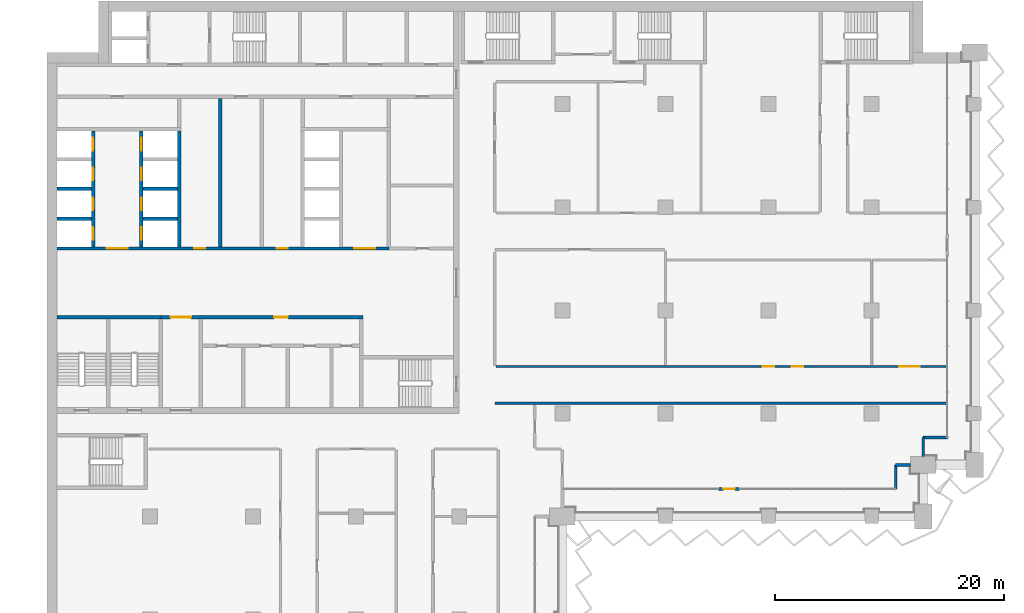
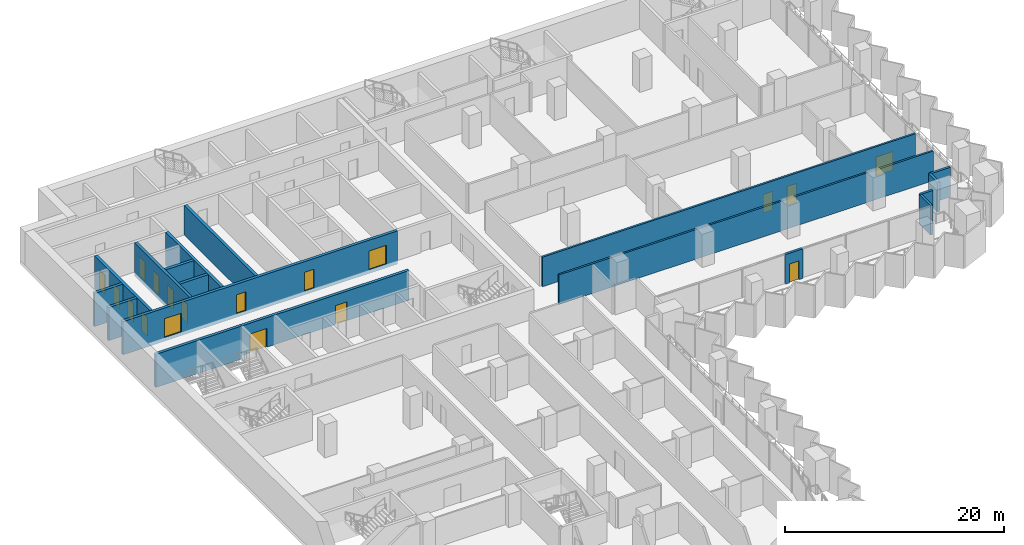
# One storey, part 12 of 23: 18 doors, 18 walls, 18 openings.
"""IFC4 building model written with IfcOpenShell, lengths in metres."""

import ifcopenshell
import ifcopenshell.guid

model = None  # the IFC model being written
_history = None  # IfcOwnerHistory: only IFC2X3 demands one
_inside = {}  # id of a spatial element -> (the spatial element, [elements in it])
_under = {}  # id of a project, library or spatial element -> (it, [spatial elements below it])
_declared = {}  # id of a project -> (the project, [libraries it declares])
_typed = {}  # id of a type object -> (the type object, [elements of that type])
_made_of = {}  # id of a material, layer set ... -> (it, [elements and type objects made of it])


def new_model(schema):
    """Start an empty IFC model of exactly this schema.

    Asked for "IFC4X3", IfcOpenShell would pick the latest addendum, in which some entities
    have other attributes; the version numbers below select the first issue.
    IFC2X3 requires an IfcOwnerHistory on every rooted entity: one is made here for all.
    """
    global model, _history
    if schema == "IFC4X3":
        model = ifcopenshell.file(schema_version=(4, 3, 0, 0))
    else:
        model = ifcopenshell.file(schema=schema)
    _inside.clear()
    _under.clear()
    _declared.clear()
    _typed.clear()
    _made_of.clear()
    _history = None
    if model.schema == "IFC2X3":
        org = make("IfcOrganization", Name="unknown")
        user = make(
            "IfcPersonAndOrganization",
            ThePerson=make("IfcPerson", FamilyName="unknown"),
            TheOrganization=org,
        )
        app = make(
            "IfcApplication",
            ApplicationDeveloper=org,
            Version="unknown",
            ApplicationFullName="unknown",
            ApplicationIdentifier="unknown",
        )
        _history = make(
            "IfcOwnerHistory",
            OwningUser=user,
            OwningApplication=app,
            ChangeAction="ADDED",
            CreationDate=0,
        )
    return model


def make(cls, **values):
    """One entity of the class cls with the attributes given. An attribute that is None is left unset."""
    return model.create_entity(
        cls, **{name: value for name, value in values.items() if value is not None}
    )


def rooted(cls, **values):
    """An entity with a GlobalId (a new one), such as an element, a storey or a relation."""
    return make(cls, GlobalId=ifcopenshell.guid.new(), OwnerHistory=_history, **values)


def si_unit(unit_type, name, prefix=None):
    """IfcSIUnit, for example si_unit("LENGTHUNIT", "METRE", prefix="MILLI")."""
    return make("IfcSIUnit", UnitType=unit_type, Prefix=prefix, Name=name)


def assignment(units):
    """IfcUnitAssignment: the units of a project."""
    return None if units is None else make("IfcUnitAssignment", Units=units)


def point(xyz):
    """IfcCartesianPoint."""
    return None if xyz is None else make("IfcCartesianPoint", Coordinates=xyz)


def direction(xyz):
    """IfcDirection."""
    return None if xyz is None else make("IfcDirection", DirectionRatios=xyz)


def frame(location, z_axis=None, x_axis=None):
    """IfcAxis2Placement3D, a coordinate frame: its origin and axes. An axis left out is left unset."""
    return make(
        "IfcAxis2Placement3D",
        Location=point(location),
        Axis=direction(z_axis),
        RefDirection=direction(x_axis),
    )


def frame_2d(location, x_axis=None):
    """IfcAxis2Placement2D, a coordinate frame in the plane: its origin and x axis."""
    return make(
        "IfcAxis2Placement2D", Location=point(location), RefDirection=direction(x_axis)
    )


def origin():
    """The frame at (0, 0, 0) with its axes left unset."""
    return frame((0.0, 0.0, 0.0))


def place(relative_to, where):
    """IfcLocalPlacement: puts the frame where relative to a parent placement (None: the world)."""
    return make(
        "IfcLocalPlacement", PlacementRelTo=relative_to, RelativePlacement=where
    )


def context(
    kind, dimensions, precision=None, world=None, true_north=None, identifier=None
):
    """IfcGeometricRepresentationContext, for example the 3D "Model" context."""
    return make(
        "IfcGeometricRepresentationContext",
        ContextIdentifier=identifier,
        ContextType=kind,
        CoordinateSpaceDimension=dimensions,
        Precision=precision,
        WorldCoordinateSystem=world,
        TrueNorth=true_north,
    )


def subcontext(parent, identifier, kind, view, scale=None):
    """IfcGeometricRepresentationSubContext, for example "Body" below "Model"."""
    return make(
        "IfcGeometricRepresentationSubContext",
        ContextIdentifier=identifier,
        ContextType=kind,
        ParentContext=parent,
        TargetScale=scale,
        TargetView=view,
    )


def project(units=None, contexts=None):
    """IfcProject with its units and contexts."""
    return rooted(
        "IfcProject",
        Name="project",
        RepresentationContexts=contexts,
        UnitsInContext=assignment(units),
    )


def spatial(cls, under=None, at=None, **own):
    """A site, building, storey or space (cls), placed at a placement, below another one or the project."""
    s = rooted(cls, ObjectPlacement=at, **own)
    if under is not None:
        _under.setdefault(under.id(), (under, []))[1].append(s)
    return s


def profile(cls, at=None, kind="AREA", **sizes):
    """A parametric profile (cls). Its sizes go by their IFC names, for example OverallWidth=200.0."""
    return make(cls, ProfileType=kind, Position=at, **sizes)


def rectangle(**sizes):
    """IfcRectangleProfileDef."""
    return profile("IfcRectangleProfileDef", **sizes)


def extrude(swept, where, along, depth):
    """IfcExtrudedAreaSolid: the profile swept, set in the frame where, extruded along a direction by depth."""
    return make(
        "IfcExtrudedAreaSolid",
        SweptArea=swept,
        Position=where,
        ExtrudedDirection=direction(along),
        Depth=depth,
    )


def shape(context_of_items, identifier, shape_type, items):
    """IfcShapeRepresentation: the items that make up one representation, for example the "Body"."""
    return make(
        "IfcShapeRepresentation",
        ContextOfItems=context_of_items,
        RepresentationIdentifier=identifier,
        RepresentationType=shape_type,
        Items=items,
    )


def material(Name=None, Category=None):
    """IfcMaterial."""
    return make("IfcMaterial", Name=Name, Category=Category)


def layer(
    of_material, thickness, ventilated=None, Name=None, Category=None, Priority=None
):
    """IfcMaterialLayer: one layer of a wall or slab, of a material (None: an air gap)."""
    return make(
        "IfcMaterialLayer",
        Material=of_material,
        LayerThickness=thickness,
        IsVentilated=ventilated,
        Name=Name,
        Category=Category,
        Priority=Priority,
    )


def layer_set(layers, Name=None):
    """IfcMaterialLayerSet."""
    return make("IfcMaterialLayerSet", MaterialLayers=layers, LayerSetName=Name)


def made_of(thing, what):
    """Note that an element or type object is made of a material, layer set ...; save() writes the relation."""
    if what is not None:
        _made_of.setdefault(what.id(), (what, []))[1].append(thing)
    return thing


def type_object(cls, material=None, **own):
    """A type object (cls), such as IfcWallType, which elements share."""
    return made_of(rooted(cls, **own), material)


def element(
    cls,
    number,
    at=None,
    inside=None,
    cuts=None,
    type_object=None,
    material=None,
    context=None,
    identifier="Body",
    shape_type=None,
    held_by="IfcProductDefinitionShape",
    body=None,
    shapes=None,
    **own,
):
    """One element of the class cls, such as IfcWall. Its Tag is "e" and its number.

    at: its placement. inside: the storey or other place that contains it. cuts: it is an
    opening in that element (IfcRelVoidsElement). A single representation is given by context,
    identifier, shape_type and body (its items); several are given by shapes. held_by: the class
    of the entity that holds the representations. save() writes the other relations.
    """
    e = rooted(cls, Tag="e%d" % number, ObjectPlacement=at, **own)
    if body is not None:
        shapes = [shape(context, identifier, shape_type, body)]
    if shapes is not None:
        e.Representation = make(held_by, Representations=shapes)
    if inside is not None:
        _inside.setdefault(inside.id(), (inside, []))[1].append(e)
    if cuts is not None:
        rooted(
            "IfcRelVoidsElement", RelatingBuildingElement=cuts, RelatedOpeningElement=e
        )
    if type_object is not None:
        _typed.setdefault(type_object.id(), (type_object, []))[1].append(e)
    return made_of(e, material)


def fill(opening, filler):
    """IfcRelFillsElement: the door or window that sits in an opening."""
    return rooted(
        "IfcRelFillsElement",
        RelatingOpeningElement=opening,
        RelatedBuildingElement=filler,
    )


def aggregate(whole, parts):
    """IfcRelAggregates: a whole, such as a stair, and the parts it consists of."""
    return rooted("IfcRelAggregates", RelatingObject=whole, RelatedObjects=parts)


def save(model, path):
    """Write the relations noted so far, then the file.

    IfcRelAggregates (storeys below a building ...), IfcRelContainedInSpatialStructure (elements
    in a storey), IfcRelDefinesByType, IfcRelAssociatesMaterial and IfcRelDeclares: one each for
    every whole, place, type object, material and project.
    """
    for whole, parts in _under.values():
        aggregate(whole, parts)
    for where, things in _inside.values():
        rooted(
            "IfcRelContainedInSpatialStructure",
            RelatedElements=things,
            RelatingStructure=where,
        )
    for kind, things in _typed.values():
        rooted("IfcRelDefinesByType", RelatedObjects=things, RelatingType=kind)
    for what, things in _made_of.values():
        rooted("IfcRelAssociatesMaterial", RelatedObjects=things, RelatingMaterial=what)
    for by, libraries in _declared.values():
        rooted("IfcRelDeclares", RelatingContext=by, RelatedDefinitions=libraries)
    model.write(path)


model = new_model("IFC4")

# Units and contexts
model_context = context("Model", 3, precision=1e-05, world=origin(), true_north=direction((0.0, 1.0)))
body_context = subcontext(model_context, "Body", "Model", "MODEL_VIEW")
ifc_project = project(units=[si_unit("LENGTHUNIT", "METRE"), si_unit("AREAUNIT", "SQUARE_METRE"), si_unit("VOLUMEUNIT", "CUBIC_METRE"), si_unit("PLANEANGLEUNIT", "RADIAN"), si_unit("MASSUNIT", "GRAM", prefix="KILO")], contexts=[model_context])

# Site, building, storey
site_placement = place(None, origin())
site = spatial("IfcSite", under=ifc_project, at=site_placement, CompositionType="ELEMENT")
building_placement = place(site_placement, origin())
building = spatial("IfcBuilding", under=site, at=building_placement, Name="Hunhe Ridgeline Campus", CompositionType="ELEMENT")
storey_placement = place(building_placement, frame((0.0, 0.0, 121.800048828125)))
storey = spatial("IfcBuildingStorey", under=building, at=storey_placement, Name="L30", CompositionType="ELEMENT", Elevation=121.800048828125)

# Wall, openings, doors
ifc_material_1 = material(Name="Masonry concrete blockwork", Category="masonry")
ifc_layer_1 = layer(ifc_material_1, 0.300048828125)
ifc_layer_set_1 = layer_set([ifc_layer_1], Name="Core room partition 300 concrete block")
wall_type_1 = type_object("IfcWallType", Name="Core room partition 300 concrete block", PredefinedType="PARTITIONING", material=ifc_layer_set_1)
wall_1_placement = place(storey_placement, frame((9.949951171875, 71.39990234375, 0.0), z_axis=(0.0, 0.0, 1.0), x_axis=(1.0, 0.0, 0.0)))
wall_1 = element("IfcWall", 1, at=wall_1_placement, inside=storey, type_object=wall_type_1, Name="L30 core partition 11", PredefinedType="PARTITIONING", context=body_context, shape_type="SweptSolid", body=[
    extrude(rectangle(XDim=17.650146484375, YDim=0.300048828125, at=frame_2d((8.8251953125, 0.0))), origin(), (0.0, 0.0, 1.0), 3.300048828125),
])
opening_1_placement = place(wall_1_placement, frame((0.85009765625, 0.0, 0.0)))
opening_1 = element("IfcOpeningElement", 2, at=opening_1_placement, cuts=wall_1, Name="Opening CD7", PredefinedType="OPENING", context=body_context, shape_type="SweptSolid", body=[
    extrude(rectangle(XDim=1.800048828125, YDim=2.10009765625, at=frame_2d((0.89990234375, 1.050048828125))), frame((0.0, 0.14990234375, 0.0), z_axis=(0.0, -1.0, 0.0), x_axis=(1.0, 0.0, 0.0)), (0.0, 0.0, 1.0), 0.300048828125),
])
opening_2_placement = place(wall_1_placement, frame((9.89990234375, 0.0, 0.0)))
opening_2 = element("IfcOpeningElement", 3, at=opening_2_placement, cuts=wall_1, Name="Opening CD12", PredefinedType="OPENING", context=body_context, shape_type="SweptSolid", body=[
    extrude(rectangle(XDim=1.199951171875, YDim=2.10009765625, at=frame_2d((0.60009765625, 1.050048828125))), frame((0.0, 0.14990234375, 0.0), z_axis=(0.0, -1.0, 0.0), x_axis=(1.0, 0.0, 0.0)), (0.0, 0.0, 1.0), 0.300048828125),
])
ifc_material_2 = material(Name="Anodised aluminium and glass", Category="aluminium")
door_type_1 = type_object("IfcDoorType", Name="Glazed double door 1800x2100", OperationType="DOUBLE_DOOR_SINGLE_SWING", PredefinedType="DOOR", material=ifc_material_2)
door_1_placement = place(opening_1_placement, origin())
door_1 = element("IfcDoor", 4, at=door_1_placement, inside=storey, type_object=door_type_1, Name="L30 door VEST-HALL", OperationType="DOUBLE_DOOR_SINGLE_SWING", OverallHeight=2.10009765625, OverallWidth=1.800048828125, PredefinedType="DOOR", context=body_context, shape_type="SweptSolid", body=[
    extrude(rectangle(XDim=1.800048828125, YDim=2.10009765625, at=frame_2d((0.89990234375, 1.050048828125))), frame((0.0, 0.02490234375, 0.0), z_axis=(0.0, -1.0, 0.0), x_axis=(1.0, 0.0, 0.0)), (0.0, 0.0, 1.0), 0.050048828125),
])
fill(opening_1, door_1)
ifc_material_3 = material(Name="Solid core timber door leaf", Category="wood")
door_type_2 = type_object("IfcDoorType", Name="Timber door 1200x2100", OperationType="SINGLE_SWING_LEFT", PredefinedType="DOOR", material=ifc_material_3)
door_2_placement = place(opening_2_placement, origin())
door_2 = element("IfcDoor", 5, at=door_2_placement, inside=storey, type_object=door_type_2, Name="L30 door WCL2-HALL", OperationType="SINGLE_SWING_LEFT", OverallHeight=2.10009765625, OverallWidth=1.199951171875, PredefinedType="DOOR", context=body_context, shape_type="SweptSolid", body=[
    extrude(rectangle(XDim=1.199951171875, YDim=2.10009765625, at=frame_2d((0.60009765625, 1.050048828125))), frame((0.0, 0.02490234375, 0.0), z_axis=(0.0, -1.0, 0.0), x_axis=(1.0, 0.0, 0.0)), (0.0, 0.0, 1.0), 0.050048828125),
])
fill(opening_2, door_2)

# Walls
wall_2_placement = place(storey_placement, frame((15.14990234375, 77.550048828125, 0.0), z_axis=(0.0, 0.0, 1.0), x_axis=(0.0, 1.0, 0.0)))
element("IfcWall", 6, at=wall_2_placement, inside=storey, type_object=wall_type_1, Name="L30 core partition 44", PredefinedType="PARTITIONING", context=body_context, shape_type="SweptSolid", body=[
    extrude(rectangle(XDim=12.949951171875, YDim=0.300048828125, at=frame_2d((6.47509765625, 0.0))), origin(), (0.0, 0.0, 1.0), 3.300048828125),
])
ifc_material_4 = material(Name="Concrete C30", Category="concrete")
ifc_layer_2 = layer(ifc_material_4, 0.25)
ifc_layer_set_2 = layer_set([ifc_layer_2], Name="Corner return wall 250 Concrete C30")
wall_type_2 = type_object("IfcWallType", Name="Corner return wall 250 Concrete C30", PredefinedType="SOLIDWALL", material=ifc_layer_set_2)
wall_3_placement = place(storey_placement, frame((74.09912109375, 56.40087890625, 0.0), z_axis=(0.0, 0.0, 1.0), x_axis=(0.00011626555, 0.999999993241, 0.0)))
element("IfcWall", 7, at=wall_3_placement, inside=storey, type_object=wall_type_2, Name="Corner return wall 4", PredefinedType="SOLIDWALL", context=body_context, shape_type="SweptSolid", body=[
    extrude(rectangle(XDim=2.099853515625, YDim=0.25, at=frame_2d((1.0498046875, 0.0))), origin(), (0.0, 0.0, 1.0), 3.300048828125),
])
wall_4_placement = place(storey_placement, frame((74.099365234375, 58.500732421875, 0.0), z_axis=(0.0, 0.0, 1.0), x_axis=(0.99999998238, 0.000187722918, 0.0)))
element("IfcWall", 8, at=wall_4_placement, inside=storey, type_object=wall_type_2, Name="Corner return wall 5", PredefinedType="SOLIDWALL", context=body_context, shape_type="SweptSolid", body=[
    extrude(rectangle(XDim=1.300537109375, YDim=0.25, at=frame_2d((0.650390625, 0.0))), origin(), (0.0, 0.0, 1.0), 3.300048828125),
])
wall_5_placement = place(storey_placement, frame((76.4990234375, 59.25, 0.0), z_axis=(0.0, 0.0, 1.0), x_axis=(0.000147907113, 0.999999989062, 0.0)))
element("IfcWall", 9, at=wall_5_placement, inside=storey, type_object=wall_type_2, Name="Corner return wall 6", PredefinedType="SOLIDWALL", context=body_context, shape_type="SweptSolid", body=[
    extrude(rectangle(XDim=1.650634765625, YDim=0.25, at=frame_2d((0.8251953125, 0.0))), origin(), (0.0, 0.0, 1.0), 3.300048828125),
])
wall_6_placement = place(storey_placement, frame((76.499267578125, 60.900634765625, 0.0), z_axis=(0.0, 0.0, 1.0), x_axis=(0.999999993241, 0.00011626555, 0.0)))
element("IfcWall", 10, at=wall_6_placement, inside=storey, type_object=wall_type_2, Name="Corner return wall 7", PredefinedType="SOLIDWALL", context=body_context, shape_type="SweptSolid", body=[
    extrude(rectangle(XDim=2.099853515625, YDim=0.25, at=frame_2d((1.0498046875, 0.0))), origin(), (0.0, 0.0, 1.0), 3.300048828125),
])
ifc_material_5 = material(Name="Gypsum board partition")
ifc_layer_3 = layer(ifc_material_5, 0.199951171875)
ifc_layer_set_3 = layer_set([ifc_layer_3], Name="Corridor partition 200 gypsum board on steel studs")
wall_type_3 = type_object("IfcWallType", Name="Corridor partition 200 gypsum board on steel studs", PredefinedType="PARTITIONING", material=ifc_layer_set_3)
wall_7_placement = place(storey_placement, frame((39.10009765625, 63.89990234375, 0.0), z_axis=(0.0, 0.0, 1.0), x_axis=(1.0, 0.0, 0.0)))
element("IfcWall", 11, at=wall_7_placement, inside=storey, type_object=wall_type_3, Name="F-L30-wall-039", PredefinedType="PARTITIONING", context=body_context, shape_type="SweptSolid", body=[
    extrude(rectangle(XDim=39.44482421875, YDim=0.199951171875, at=frame_2d((19.722412109375, 0.0))), origin(), (0.0, 0.0, 1.0), 3.300048828125),
])

# Wall, openings, doors
wall_8_placement = place(storey_placement, frame((39.199951171875, 67.10009765625, 0.0), z_axis=(0.0, 0.0, 1.0), x_axis=(1.0, 0.0, 0.0)))
wall_8 = element("IfcWall", 12, at=wall_8_placement, inside=storey, type_object=wall_type_3, Name="F-L30-wall-040", PredefinedType="PARTITIONING", context=body_context, shape_type="SweptSolid", body=[
    extrude(rectangle(XDim=39.344970703125, YDim=0.199951171875, at=frame_2d((19.67236328125, 0.0))), origin(), (0.0, 0.0, 1.0), 3.300048828125),
])
opening_3_placement = place(wall_8_placement, frame((23.3076171875, 0.0, 0.0)))
opening_3 = element("IfcOpeningElement", 13, at=opening_3_placement, cuts=wall_8, Name="Opening RD1-023", PredefinedType="OPENING", context=body_context, shape_type="SweptSolid", body=[
    extrude(rectangle(XDim=1.0, YDim=2.10009765625, at=frame_2d((0.5, 1.050048828125))), frame((0.0, 0.10009765625, 0.0), z_axis=(0.0, -1.0, 0.0), x_axis=(1.0, 0.0, 0.0)), (0.0, 0.0, 1.0), 0.199951171875),
])
opening_4_placement = place(wall_8_placement, frame((25.8076171875, 0.0, 0.0)))
opening_4 = element("IfcOpeningElement", 14, at=opening_4_placement, cuts=wall_8, Name="Opening RD1-024", PredefinedType="OPENING", context=body_context, shape_type="SweptSolid", body=[
    extrude(rectangle(XDim=1.0, YDim=2.10009765625, at=frame_2d((0.5, 1.050048828125))), frame((0.0, 0.10009765625, 0.0), z_axis=(0.0, -1.0, 0.0), x_axis=(1.0, 0.0, 0.0)), (0.0, 0.0, 1.0), 0.199951171875),
])
opening_5_placement = place(wall_8_placement, frame((35.18701171875, 0.0, 0.0)))
opening_5 = element("IfcOpeningElement", 15, at=opening_5_placement, cuts=wall_8, Name="Opening RD2-025", PredefinedType="OPENING", context=body_context, shape_type="SweptSolid", body=[
    extrude(rectangle(XDim=1.800048828125, YDim=2.10009765625, at=frame_2d((0.89990234375, 1.050048828125))), frame((0.0, 0.10009765625, 0.0), z_axis=(0.0, -1.0, 0.0), x_axis=(1.0, 0.0, 0.0)), (0.0, 0.0, 1.0), 0.199951171875),
])
ifc_material_6 = material(Name="Timber door leaf", Category="wood")
door_type_3 = type_object("IfcDoorType", Name="Double fire door 1800x2100 timber FD60", OperationType="DOUBLE_DOOR_SINGLE_SWING", PredefinedType="DOOR", material=ifc_material_6)
door_3_placement = place(opening_5_placement, origin())
door_3 = element("IfcDoor", 16, at=door_3_placement, inside=storey, type_object=door_type_3, Name="F-L30-door-025", OperationType="DOUBLE_DOOR_SINGLE_SWING", OverallHeight=2.10009765625, OverallWidth=1.800048828125, PredefinedType="DOOR", context=body_context, shape_type="SweptSolid", body=[
    extrude(rectangle(XDim=1.800048828125, YDim=2.10009765625, at=frame_2d((0.89990234375, 1.050048828125))), frame((0.0, 0.02490234375, 0.0), z_axis=(0.0, -1.0, 0.0), x_axis=(1.0, 0.0, 0.0)), (0.0, 0.0, 1.0), 0.050048828125),
])
fill(opening_5, door_3)
door_type_4 = type_object("IfcDoorType", Name="Single fire door 1000x2100 timber FD60", OperationType="NOTDEFINED", PredefinedType="DOOR", material=ifc_material_6)
door_4_placement = place(opening_3_placement, frame((1.0, 0.0, 0.0), z_axis=(0.0, 0.0, 1.0), x_axis=(-1.0, 0.0, 0.0)))
door_4 = element("IfcDoor", 17, at=door_4_placement, inside=storey, type_object=door_type_4, Name="F-L30-door-023", OperationType="SINGLE_SWING_LEFT", OverallHeight=2.10009765625, OverallWidth=1.0, PredefinedType="DOOR", context=body_context, shape_type="SweptSolid", body=[
    extrude(rectangle(XDim=1.0, YDim=2.10009765625, at=frame_2d((0.5, 1.050048828125))), frame((0.0, 0.02490234375, 0.0), z_axis=(0.0, -1.0, 0.0), x_axis=(1.0, 0.0, 0.0)), (0.0, 0.0, 1.0), 0.050048828125),
])
fill(opening_3, door_4)
door_5_placement = place(opening_4_placement, frame((1.0, 0.0, 0.0), z_axis=(0.0, 0.0, 1.0), x_axis=(-1.0, 0.0, 0.0)))
door_5 = element("IfcDoor", 18, at=door_5_placement, inside=storey, type_object=door_type_4, Name="F-L30-door-024", OperationType="SINGLE_SWING_LEFT", OverallHeight=2.10009765625, OverallWidth=1.0, PredefinedType="DOOR", context=body_context, shape_type="SweptSolid", body=[
    extrude(rectangle(XDim=1.0, YDim=2.10009765625, at=frame_2d((0.5, 1.050048828125))), frame((0.0, 0.02490234375, 0.0), z_axis=(0.0, -1.0, 0.0), x_axis=(1.0, 0.0, 0.0)), (0.0, 0.0, 1.0), 0.050048828125),
])
fill(opening_4, door_5)

# Wall, opening, door
ifc_layer_4 = layer(ifc_material_4, 0.25)
ifc_layer_set_4 = layer_set([ifc_layer_4], Name="Loggia door pier wall 250 Concrete C30")
wall_type_4 = type_object("IfcWallType", Name="Loggia door pier wall 250 Concrete C30", PredefinedType="SOLIDWALL", material=ifc_layer_set_4)
wall_9_placement = place(storey_placement, frame((58.6494140625, 56.40087890625, 0.0), z_axis=(0.0, 0.0, 1.0), x_axis=(1.0, 0.0, 0.0)))
wall_9 = element("IfcWall", 19, at=wall_9_placement, inside=storey, type_object=wall_type_4, Name="Loggia door pier 4", PredefinedType="SOLIDWALL", context=body_context, shape_type="SweptSolid", body=[
    extrude(rectangle(XDim=1.800048828125, YDim=0.25, at=frame_2d((0.89990234375, 0.0))), origin(), (0.0, 0.0, 1.0), 3.300048828125),
])
opening_6_placement = place(wall_9_placement, frame((0.39990234375, 0.0, 0.0)))
opening_6 = element("IfcOpeningElement", 20, at=opening_6_placement, cuts=wall_9, Name="Opening BD206", PredefinedType="OPENING", context=body_context, shape_type="SweptSolid", body=[
    extrude(rectangle(XDim=1.0, YDim=2.10009765625, at=frame_2d((0.5, 1.050048828125))), frame((0.0, 0.125, 0.0), z_axis=(0.0, -1.0, 0.0), x_axis=(1.0, 0.0, 0.0)), (0.0, 0.0, 1.0), 0.25),
])
ifc_material_7 = material(Name="Aluminium 6063", Category="aluminium")
door_type_5 = type_object("IfcDoorType", Name="Loggia glazed door 1000x2100", OperationType="NOTDEFINED", PredefinedType="DOOR", material=ifc_material_7)
door_6_placement = place(opening_6_placement, frame((1.0, 0.0, 0.0), z_axis=(0.0, 0.0, 1.0), x_axis=(-1.0, 0.0, 0.0)))
door_6 = element("IfcDoor", 21, at=door_6_placement, inside=storey, type_object=door_type_5, Name="Loggia door BD206", OperationType="SINGLE_SWING_LEFT", OverallHeight=2.10009765625, OverallWidth=1.0, PredefinedType="DOOR", context=body_context, shape_type="SweptSolid", body=[
    extrude(rectangle(XDim=1.0, YDim=2.10009765625, at=frame_2d((0.5, 1.050048828125))), frame((0.0, 0.02490234375, 0.0), z_axis=(0.0, -1.0, 0.0), x_axis=(1.0, 0.0, 0.0)), (0.0, 0.0, 1.0), 0.050048828125),
])
fill(opening_6, door_6)

# Wall, openings, doors
ifc_material_8 = material(Name="Concrete C80", Category="concrete")
ifc_layer_5 = layer(ifc_material_8, 0.300048828125)
ifc_layer_set_5 = layer_set([ifc_layer_5], Name="Shaft wall 300 reinforced concrete C80")
wall_type_5 = type_object("IfcWallType", Name="Shaft wall 300 reinforced concrete C80", PredefinedType="SOLIDWALL", material=ifc_layer_set_5)
wall_10_placement = place(storey_placement, frame((0.89990234375, 77.39990234375, -0.400146484375), z_axis=(0.0, 0.0, 1.0), x_axis=(1.0, 0.0, 0.0)))
wall_10 = element("IfcWall", 22, at=wall_10_placement, inside=storey, type_object=wall_type_5, Name="L30 core wall 12", PredefinedType="SOLIDWALL", context=body_context, shape_type="SweptSolid", body=[
    extrude(rectangle(XDim=28.9501953125, YDim=0.300048828125, at=frame_2d((14.47509765625, 0.0))), origin(), (0.0, 0.0, 1.0), 3.7001953125),
])
opening_7_placement = place(wall_10_placement, frame((4.35009765625, 0.0, 0.39990234375)))
opening_7 = element("IfcOpeningElement", 23, at=opening_7_placement, cuts=wall_10, Name="Opening CD1", PredefinedType="OPENING", context=body_context, shape_type="SweptSolid", body=[
    extrude(rectangle(XDim=1.800048828125, YDim=2.10009765625, at=frame_2d((0.89990234375, 1.050048828125))), frame((0.0, 0.14990234375, 0.0), z_axis=(0.0, -1.0, 0.0), x_axis=(1.0, 0.0, 0.0)), (0.0, 0.0, 1.0), 0.300048828125),
])
opening_8_placement = place(wall_10_placement, frame((25.949951171875, 0.0, 0.39990234375)))
opening_8 = element("IfcOpeningElement", 24, at=opening_8_placement, cuts=wall_10, Name="Opening CD2", PredefinedType="OPENING", context=body_context, shape_type="SweptSolid", body=[
    extrude(rectangle(XDim=1.800048828125, YDim=2.10009765625, at=frame_2d((0.89990234375, 1.050048828125))), frame((0.0, 0.14990234375, 0.0), z_axis=(0.0, -1.0, 0.0), x_axis=(1.0, 0.0, 0.0)), (0.0, 0.0, 1.0), 0.300048828125),
])
opening_9_placement = place(wall_10_placement, frame((11.949951171875, 0.0, 0.39990234375)))
opening_9 = element("IfcOpeningElement", 25, at=opening_9_placement, cuts=wall_10, Name="Opening CD28", PredefinedType="OPENING", context=body_context, shape_type="SweptSolid", body=[
    extrude(rectangle(XDim=1.0, YDim=2.10009765625, at=frame_2d((0.5, 1.050048828125))), frame((0.0, 0.14990234375, 0.0), z_axis=(0.0, -1.0, 0.0), x_axis=(1.0, 0.0, 0.0)), (0.0, 0.0, 1.0), 0.300048828125),
])
opening_10_placement = place(wall_10_placement, frame((19.14990234375, 0.0, 0.39990234375)))
opening_10 = element("IfcOpeningElement", 26, at=opening_10_placement, cuts=wall_10, Name="Opening CD30", PredefinedType="OPENING", context=body_context, shape_type="SweptSolid", body=[
    extrude(rectangle(XDim=1.0, YDim=2.10009765625, at=frame_2d((0.5, 1.050048828125))), frame((0.0, 0.14990234375, 0.0), z_axis=(0.0, -1.0, 0.0), x_axis=(1.0, 0.0, 0.0)), (0.0, 0.0, 1.0), 0.300048828125),
])
ifc_material_9 = material(Name="Hollow metal fire door leaf")
door_type_6 = type_object("IfcDoorType", Name="Lobby door 1800x2100 FD60", OperationType="SINGLE_SWING_LEFT", PredefinedType="DOOR", material=ifc_material_9)
door_7_placement = place(opening_7_placement, frame((1.800048828125, 0.0, 0.0), z_axis=(0.0, 0.0, 1.0), x_axis=(-1.0, 0.0, 0.0)))
door_7 = element("IfcDoor", 27, at=door_7_placement, inside=storey, type_object=door_type_6, Name="L30 door LOB-LR", OperationType="SINGLE_SWING_RIGHT", OverallHeight=2.10009765625, OverallWidth=1.800048828125, PredefinedType="DOOR", context=body_context, shape_type="SweptSolid", body=[
    extrude(rectangle(XDim=1.800048828125, YDim=2.10009765625, at=frame_2d((0.89990234375, 1.050048828125))), frame((0.0, 0.02490234375, 0.0), z_axis=(0.0, -1.0, 0.0), x_axis=(1.0, 0.0, 0.0)), (0.0, 0.0, 1.0), 0.050048828125),
])
fill(opening_7, door_7)
door_8_placement = place(opening_8_placement, frame((1.800048828125, 0.0, 0.0), z_axis=(0.0, 0.0, 1.0), x_axis=(-1.0, 0.0, 0.0)))
door_8 = element("IfcDoor", 28, at=door_8_placement, inside=storey, type_object=door_type_6, Name="L30 door LOB-SH", OperationType="SINGLE_SWING_LEFT", OverallHeight=2.10009765625, OverallWidth=1.800048828125, PredefinedType="DOOR", context=body_context, shape_type="SweptSolid", body=[
    extrude(rectangle(XDim=1.800048828125, YDim=2.10009765625, at=frame_2d((0.89990234375, 1.050048828125))), frame((0.0, 0.02490234375, 0.0), z_axis=(0.0, -1.0, 0.0), x_axis=(1.0, 0.0, 0.0)), (0.0, 0.0, 1.0), 0.050048828125),
])
fill(opening_8, door_8)
door_type_7 = type_object("IfcDoorType", Name="Timber door 1000x2100", OperationType="SINGLE_SWING_LEFT", PredefinedType="DOOR", material=ifc_material_3)
door_9_placement = place(opening_9_placement, origin())
door_9 = element("IfcDoor", 29, at=door_9_placement, inside=storey, type_object=door_type_7, Name="L30 door VD-HR0", OperationType="SINGLE_SWING_LEFT", OverallHeight=2.10009765625, OverallWidth=1.0, PredefinedType="DOOR", context=body_context, shape_type="SweptSolid", body=[
    extrude(rectangle(XDim=1.0, YDim=2.10009765625, at=frame_2d((0.5, 1.050048828125))), frame((0.0, 0.02490234375, 0.0), z_axis=(0.0, -1.0, 0.0), x_axis=(1.0, 0.0, 0.0)), (0.0, 0.0, 1.0), 0.050048828125),
])
fill(opening_9, door_9)
door_10_placement = place(opening_10_placement, origin())
door_10 = element("IfcDoor", 30, at=door_10_placement, inside=storey, type_object=door_type_7, Name="L30 door VD-HR2", OperationType="SINGLE_SWING_LEFT", OverallHeight=2.10009765625, OverallWidth=1.0, PredefinedType="DOOR", context=body_context, shape_type="SweptSolid", body=[
    extrude(rectangle(XDim=1.0, YDim=2.10009765625, at=frame_2d((0.5, 1.050048828125))), frame((0.0, 0.02490234375, 0.0), z_axis=(0.0, -1.0, 0.0), x_axis=(1.0, 0.0, 0.0)), (0.0, 0.0, 1.0), 0.050048828125),
])
fill(opening_10, door_10)

# Walls
for number, where, z_axis, x_axis, name in (
    (31, (0.89990234375, 80.0, -0.400146484375), (0.0, 0.0, 1.0), (1.0, 0.0, 0.0), "L30 core wall 14"),
    (32, (8.39990234375, 80.0, -0.400146484375), (0.0, 0.0, 1.0), (1.0, 0.0, 0.0), "L30 core wall 15"),
    (33, (0.89990234375, 82.60009765625, -0.400146484375), (0.0, 0.0, 1.0), (1.0, 0.0, 0.0), "L30 core wall 17"),
    (34, (8.39990234375, 82.60009765625, -0.400146484375), (0.0, 0.0, 1.0), (1.0, 0.0, 0.0), "L30 core wall 18"),
):
    element("IfcWall", number, at=place(storey_placement, frame(where, z_axis=z_axis, x_axis=x_axis)), inside=storey, type_object=wall_type_5, Name=name, PredefinedType="SOLIDWALL", context=body_context, shape_type="SweptSolid", body=[
        extrude(rectangle(XDim=3.0, YDim=0.300048828125, at=frame_2d((1.5, 0.0))), origin(), (0.0, 0.0, 1.0), 3.7001953125),
    ])

# Wall, openings, doors
wall_11_placement = place(storey_placement, frame((4.050048828125, 77.550048828125, -0.400146484375), z_axis=(0.0, 0.0, 1.0), x_axis=(0.0, 1.0, 0.0)))
wall_11 = element("IfcWall", 35, at=wall_11_placement, inside=storey, type_object=wall_type_5, Name="L30 core wall 32", PredefinedType="SOLIDWALL", context=body_context, shape_type="SweptSolid", body=[
    extrude(rectangle(XDim=10.099853515625, YDim=0.300048828125, at=frame_2d((5.0498046875, 0.0))), origin(), (0.0, 0.0, 1.0), 3.7001953125),
])
opening_11_placement = place(wall_11_placement, frame((0.60009765625, 0.0, 0.39990234375)))
opening_11 = element("IfcOpeningElement", 36, at=opening_11_placement, cuts=wall_11, Name="Opening LD-LR1", PredefinedType="OPENING", context=body_context, shape_type="SweptSolid", body=[
    extrude(rectangle(XDim=1.10009765625, YDim=2.10009765625, at=frame_2d((0.550048828125, 1.050048828125))), frame((0.0, 0.14990234375, 0.0), z_axis=(0.0, -1.0, 0.0), x_axis=(1.0, 0.0, 0.0)), (0.0, 0.0, 1.0), 0.300048828125),
])
opening_12_placement = place(wall_11_placement, frame((3.199951171875, 0.0, 0.39990234375)))
opening_12 = element("IfcOpeningElement", 37, at=opening_12_placement, cuts=wall_11, Name="Opening LD-LR2", PredefinedType="OPENING", context=body_context, shape_type="SweptSolid", body=[
    extrude(rectangle(XDim=1.10009765625, YDim=2.10009765625, at=frame_2d((0.550048828125, 1.050048828125))), frame((0.0, 0.14990234375, 0.0), z_axis=(0.0, -1.0, 0.0), x_axis=(1.0, 0.0, 0.0)), (0.0, 0.0, 1.0), 0.300048828125),
])
opening_13_placement = place(wall_11_placement, frame((5.800048828125, 0.0, 0.39990234375)))
opening_13 = element("IfcOpeningElement", 38, at=opening_13_placement, cuts=wall_11, Name="Opening LD-LR3", PredefinedType="OPENING", context=body_context, shape_type="SweptSolid", body=[
    extrude(rectangle(XDim=1.10009765625, YDim=2.10009765625, at=frame_2d((0.550048828125, 1.050048828125))), frame((0.0, 0.14990234375, 0.0), z_axis=(0.0, -1.0, 0.0), x_axis=(1.0, 0.0, 0.0)), (0.0, 0.0, 1.0), 0.300048828125),
])
opening_14_placement = place(wall_11_placement, frame((8.39990234375, 0.0, 0.39990234375)))
opening_14 = element("IfcOpeningElement", 39, at=opening_14_placement, cuts=wall_11, Name="Opening LD-LR4", PredefinedType="OPENING", context=body_context, shape_type="SweptSolid", body=[
    extrude(rectangle(XDim=1.10009765625, YDim=2.10009765625, at=frame_2d((0.550048828125, 1.050048828125))), frame((0.0, 0.14990234375, 0.0), z_axis=(0.0, -1.0, 0.0), x_axis=(1.0, 0.0, 0.0)), (0.0, 0.0, 1.0), 0.300048828125),
])
ifc_material_10 = material(Name="Stainless steel sliding leaves", Category="steel")
door_type_8 = type_object("IfcDoorType", Name="Landing door 1100x2100 FD120", OperationType="SLIDING_TO_LEFT", PredefinedType="DOOR", material=ifc_material_10)
door_11_placement = place(opening_11_placement, origin())
door_11 = element("IfcDoor", 40, at=door_11_placement, inside=storey, type_object=door_type_8, Name="L30 landing door LR1", OperationType="SLIDING_TO_RIGHT", OverallHeight=2.10009765625, OverallWidth=1.10009765625, PredefinedType="DOOR", context=body_context, shape_type="SweptSolid", body=[
    extrude(rectangle(XDim=1.10009765625, YDim=2.10009765625, at=frame_2d((0.550048828125, 1.050048828125))), frame((0.0, 0.02490234375, 0.0), z_axis=(0.0, -1.0, 0.0), x_axis=(1.0, 0.0, 0.0)), (0.0, 0.0, 1.0), 0.050048828125),
])
fill(opening_11, door_11)
door_12_placement = place(opening_12_placement, origin())
door_12 = element("IfcDoor", 41, at=door_12_placement, inside=storey, type_object=door_type_8, Name="L30 landing door LR2", OperationType="SLIDING_TO_LEFT", OverallHeight=2.10009765625, OverallWidth=1.10009765625, PredefinedType="DOOR", context=body_context, shape_type="SweptSolid", body=[
    extrude(rectangle(XDim=1.10009765625, YDim=2.10009765625, at=frame_2d((0.550048828125, 1.050048828125))), frame((0.0, 0.02490234375, 0.0), z_axis=(0.0, -1.0, 0.0), x_axis=(1.0, 0.0, 0.0)), (0.0, 0.0, 1.0), 0.050048828125),
])
fill(opening_12, door_12)
door_13_placement = place(opening_13_placement, origin())
door_13 = element("IfcDoor", 42, at=door_13_placement, inside=storey, type_object=door_type_8, Name="L30 landing door LR3", OperationType="SLIDING_TO_RIGHT", OverallHeight=2.10009765625, OverallWidth=1.10009765625, PredefinedType="DOOR", context=body_context, shape_type="SweptSolid", body=[
    extrude(rectangle(XDim=1.10009765625, YDim=2.10009765625, at=frame_2d((0.550048828125, 1.050048828125))), frame((0.0, 0.02490234375, 0.0), z_axis=(0.0, -1.0, 0.0), x_axis=(1.0, 0.0, 0.0)), (0.0, 0.0, 1.0), 0.050048828125),
])
fill(opening_13, door_13)
door_14_placement = place(opening_14_placement, origin())
door_14 = element("IfcDoor", 43, at=door_14_placement, inside=storey, type_object=door_type_8, Name="L30 landing door LR4", OperationType="SLIDING_TO_LEFT", OverallHeight=2.10009765625, OverallWidth=1.10009765625, PredefinedType="DOOR", context=body_context, shape_type="SweptSolid", body=[
    extrude(rectangle(XDim=1.10009765625, YDim=2.10009765625, at=frame_2d((0.550048828125, 1.050048828125))), frame((0.0, 0.02490234375, 0.0), z_axis=(0.0, -1.0, 0.0), x_axis=(1.0, 0.0, 0.0)), (0.0, 0.0, 1.0), 0.050048828125),
])
fill(opening_14, door_14)

wall_12_placement = place(storey_placement, frame((8.25, 77.550048828125, -0.400146484375), z_axis=(0.0, 0.0, 1.0), x_axis=(0.0, 1.0, 0.0)))
wall_12 = element("IfcWall", 44, at=wall_12_placement, inside=storey, type_object=wall_type_5, Name="L30 core wall 35", PredefinedType="SOLIDWALL", context=body_context, shape_type="SweptSolid", body=[
    extrude(rectangle(XDim=10.099853515625, YDim=0.300048828125, at=frame_2d((5.0498046875, 0.0))), origin(), (0.0, 0.0, 1.0), 3.7001953125),
])
opening_15_placement = place(wall_12_placement, frame((0.60009765625, 0.0, 0.39990234375)))
opening_15 = element("IfcOpeningElement", 45, at=opening_15_placement, cuts=wall_12, Name="Opening LD-LR5", PredefinedType="OPENING", context=body_context, shape_type="SweptSolid", body=[
    extrude(rectangle(XDim=1.10009765625, YDim=2.10009765625, at=frame_2d((0.550048828125, 1.050048828125))), frame((0.0, 0.14990234375, 0.0), z_axis=(0.0, -1.0, 0.0), x_axis=(1.0, 0.0, 0.0)), (0.0, 0.0, 1.0), 0.300048828125),
])
opening_16_placement = place(wall_12_placement, frame((3.199951171875, 0.0, 0.39990234375)))
opening_16 = element("IfcOpeningElement", 46, at=opening_16_placement, cuts=wall_12, Name="Opening LD-LR6", PredefinedType="OPENING", context=body_context, shape_type="SweptSolid", body=[
    extrude(rectangle(XDim=1.10009765625, YDim=2.10009765625, at=frame_2d((0.550048828125, 1.050048828125))), frame((0.0, 0.14990234375, 0.0), z_axis=(0.0, -1.0, 0.0), x_axis=(1.0, 0.0, 0.0)), (0.0, 0.0, 1.0), 0.300048828125),
])
opening_17_placement = place(wall_12_placement, frame((5.800048828125, 0.0, 0.39990234375)))
opening_17 = element("IfcOpeningElement", 47, at=opening_17_placement, cuts=wall_12, Name="Opening LD-LR7", PredefinedType="OPENING", context=body_context, shape_type="SweptSolid", body=[
    extrude(rectangle(XDim=1.10009765625, YDim=2.10009765625, at=frame_2d((0.550048828125, 1.050048828125))), frame((0.0, 0.14990234375, 0.0), z_axis=(0.0, -1.0, 0.0), x_axis=(1.0, 0.0, 0.0)), (0.0, 0.0, 1.0), 0.300048828125),
])
opening_18_placement = place(wall_12_placement, frame((8.39990234375, 0.0, 0.39990234375)))
opening_18 = element("IfcOpeningElement", 48, at=opening_18_placement, cuts=wall_12, Name="Opening LD-LR8", PredefinedType="OPENING", context=body_context, shape_type="SweptSolid", body=[
    extrude(rectangle(XDim=1.10009765625, YDim=2.10009765625, at=frame_2d((0.550048828125, 1.050048828125))), frame((0.0, 0.14990234375, 0.0), z_axis=(0.0, -1.0, 0.0), x_axis=(1.0, 0.0, 0.0)), (0.0, 0.0, 1.0), 0.300048828125),
])
door_15_placement = place(opening_15_placement, origin())
door_15 = element("IfcDoor", 49, at=door_15_placement, inside=storey, type_object=door_type_8, Name="L30 landing door LR5", OperationType="SLIDING_TO_RIGHT", OverallHeight=2.10009765625, OverallWidth=1.10009765625, PredefinedType="DOOR", context=body_context, shape_type="SweptSolid", body=[
    extrude(rectangle(XDim=1.10009765625, YDim=2.10009765625, at=frame_2d((0.550048828125, 1.050048828125))), frame((0.0, 0.02490234375, 0.0), z_axis=(0.0, -1.0, 0.0), x_axis=(1.0, 0.0, 0.0)), (0.0, 0.0, 1.0), 0.050048828125),
])
fill(opening_15, door_15)
door_16_placement = place(opening_16_placement, origin())
door_16 = element("IfcDoor", 50, at=door_16_placement, inside=storey, type_object=door_type_8, Name="L30 landing door LR6", OperationType="SLIDING_TO_LEFT", OverallHeight=2.10009765625, OverallWidth=1.10009765625, PredefinedType="DOOR", context=body_context, shape_type="SweptSolid", body=[
    extrude(rectangle(XDim=1.10009765625, YDim=2.10009765625, at=frame_2d((0.550048828125, 1.050048828125))), frame((0.0, 0.02490234375, 0.0), z_axis=(0.0, -1.0, 0.0), x_axis=(1.0, 0.0, 0.0)), (0.0, 0.0, 1.0), 0.050048828125),
])
fill(opening_16, door_16)
door_17_placement = place(opening_17_placement, origin())
door_17 = element("IfcDoor", 51, at=door_17_placement, inside=storey, type_object=door_type_8, Name="L30 landing door LR7", OperationType="SLIDING_TO_RIGHT", OverallHeight=2.10009765625, OverallWidth=1.10009765625, PredefinedType="DOOR", context=body_context, shape_type="SweptSolid", body=[
    extrude(rectangle(XDim=1.10009765625, YDim=2.10009765625, at=frame_2d((0.550048828125, 1.050048828125))), frame((0.0, 0.02490234375, 0.0), z_axis=(0.0, -1.0, 0.0), x_axis=(1.0, 0.0, 0.0)), (0.0, 0.0, 1.0), 0.050048828125),
])
fill(opening_17, door_17)
door_18_placement = place(opening_18_placement, origin())
door_18 = element("IfcDoor", 52, at=door_18_placement, inside=storey, type_object=door_type_8, Name="L30 landing door LR8", OperationType="SLIDING_TO_LEFT", OverallHeight=2.10009765625, OverallWidth=1.10009765625, PredefinedType="DOOR", context=body_context, shape_type="SweptSolid", body=[
    extrude(rectangle(XDim=1.10009765625, YDim=2.10009765625, at=frame_2d((0.550048828125, 1.050048828125))), frame((0.0, 0.02490234375, 0.0), z_axis=(0.0, -1.0, 0.0), x_axis=(1.0, 0.0, 0.0)), (0.0, 0.0, 1.0), 0.050048828125),
])
fill(opening_18, door_18)

# Walls
wall_13_placement = place(storey_placement, frame((11.550048828125, 77.550048828125, -0.400146484375), z_axis=(0.0, 0.0, 1.0), x_axis=(0.0, 1.0, 0.0)))
element("IfcWall", 53, at=wall_13_placement, inside=storey, type_object=wall_type_5, Name="L30 core wall 40", PredefinedType="SOLIDWALL", context=body_context, shape_type="SweptSolid", body=[
    extrude(rectangle(XDim=10.099853515625, YDim=0.300048828125, at=frame_2d((5.0498046875, 0.0))), origin(), (0.0, 0.0, 1.0), 3.7001953125),
])
ifc_layer_6 = layer(ifc_material_8, 0.300048828125)
ifc_layer_set_6 = layer_set([ifc_layer_6], Name="Stair wall 300 reinforced concrete C80")
wall_type_6 = type_object("IfcWallType", Name="Stair wall 300 reinforced concrete C80", PredefinedType="SOLIDWALL", material=ifc_layer_set_6)
wall_14_placement = place(storey_placement, frame((0.89990234375, 71.39990234375, -0.400146484375), z_axis=(0.0, 0.0, 1.0), x_axis=(1.0, 0.0, 0.0)))
element("IfcWall", 54, at=wall_14_placement, inside=storey, type_object=wall_type_6, Name="L30 core wall 10", PredefinedType="SOLIDWALL", context=body_context, shape_type="SweptSolid", body=[
    extrude(rectangle(XDim=9.050048828125, YDim=0.300048828125, at=frame_2d((4.52490234375, 0.0))), origin(), (0.0, 0.0, 1.0), 3.7001953125),
])

save(model, "model.ifc")
